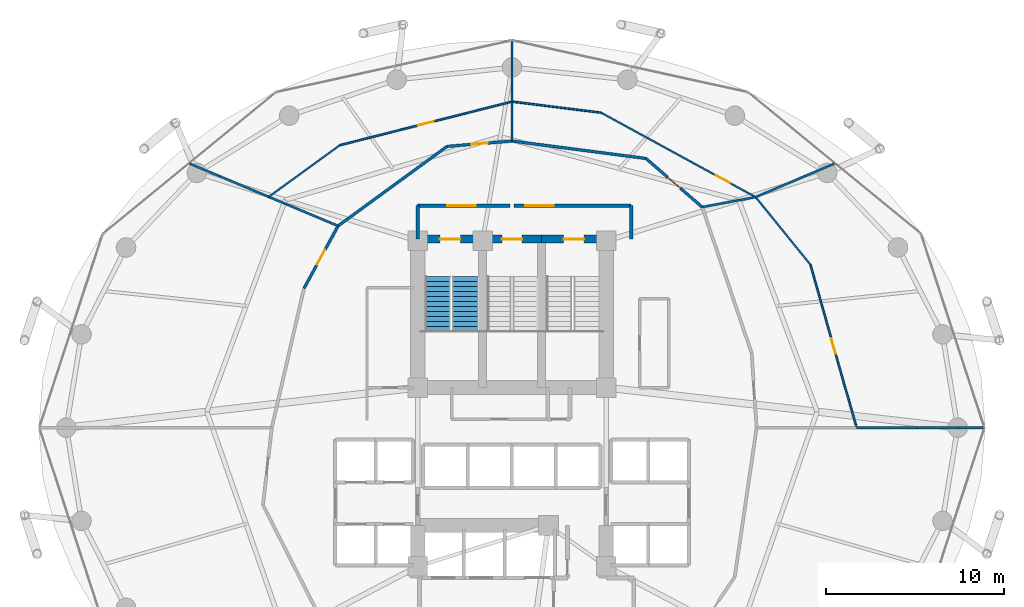
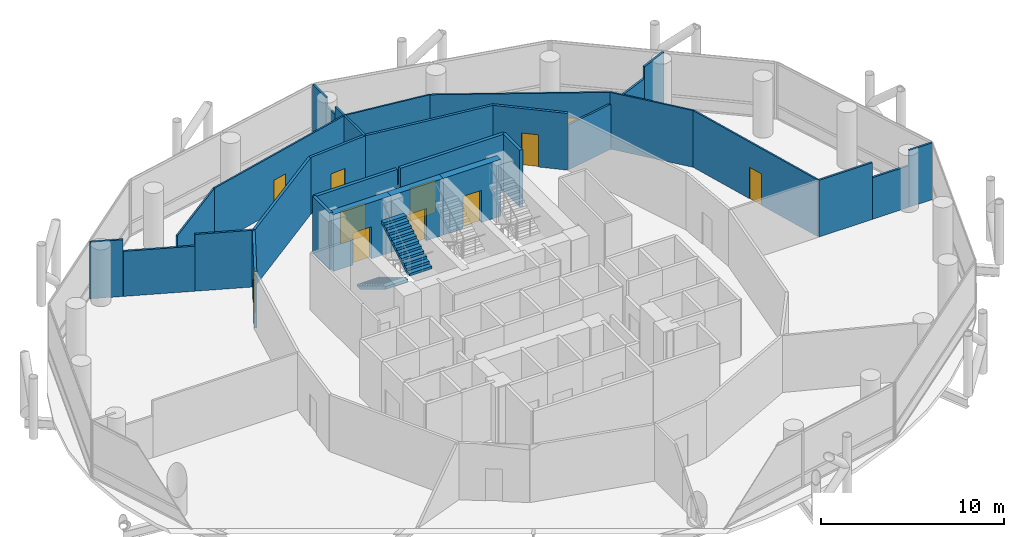
# One storey, part 23 of 25: 31 walls, 11 doors, 2 stair flights, 11 openings, 1 element without a shape of its own.
"""IFC4 building model written with IfcOpenShell, lengths in metres."""

import ifcopenshell
import ifcopenshell.guid

model = None  # the IFC model being written
_history = None  # IfcOwnerHistory: only IFC2X3 demands one
_inside = {}  # id of a spatial element -> (the spatial element, [elements in it])
_under = {}  # id of a project, library or spatial element -> (it, [spatial elements below it])
_declared = {}  # id of a project -> (the project, [libraries it declares])
_typed = {}  # id of a type object -> (the type object, [elements of that type])
_made_of = {}  # id of a material, layer set ... -> (it, [elements and type objects made of it])


def new_model(schema):
    """Start an empty IFC model of exactly this schema.

    Asked for "IFC4X3", IfcOpenShell would pick the latest addendum, in which some entities
    have other attributes; the version numbers below select the first issue.
    IFC2X3 requires an IfcOwnerHistory on every rooted entity: one is made here for all.
    """
    global model, _history
    if schema == "IFC4X3":
        model = ifcopenshell.file(schema_version=(4, 3, 0, 0))
    else:
        model = ifcopenshell.file(schema=schema)
    _inside.clear()
    _under.clear()
    _declared.clear()
    _typed.clear()
    _made_of.clear()
    _history = None
    if model.schema == "IFC2X3":
        org = make("IfcOrganization", Name="unknown")
        user = make(
            "IfcPersonAndOrganization",
            ThePerson=make("IfcPerson", FamilyName="unknown"),
            TheOrganization=org,
        )
        app = make(
            "IfcApplication",
            ApplicationDeveloper=org,
            Version="unknown",
            ApplicationFullName="unknown",
            ApplicationIdentifier="unknown",
        )
        _history = make(
            "IfcOwnerHistory",
            OwningUser=user,
            OwningApplication=app,
            ChangeAction="ADDED",
            CreationDate=0,
        )
    return model


def make(cls, **values):
    """One entity of the class cls with the attributes given. An attribute that is None is left unset."""
    return model.create_entity(
        cls, **{name: value for name, value in values.items() if value is not None}
    )


def rooted(cls, **values):
    """An entity with a GlobalId (a new one), such as an element, a storey or a relation."""
    return make(cls, GlobalId=ifcopenshell.guid.new(), OwnerHistory=_history, **values)


def si_unit(unit_type, name, prefix=None):
    """IfcSIUnit, for example si_unit("LENGTHUNIT", "METRE", prefix="MILLI")."""
    return make("IfcSIUnit", UnitType=unit_type, Prefix=prefix, Name=name)


def assignment(units):
    """IfcUnitAssignment: the units of a project."""
    return None if units is None else make("IfcUnitAssignment", Units=units)


def point(xyz):
    """IfcCartesianPoint."""
    return None if xyz is None else make("IfcCartesianPoint", Coordinates=xyz)


def direction(xyz):
    """IfcDirection."""
    return None if xyz is None else make("IfcDirection", DirectionRatios=xyz)


def frame(location, z_axis=None, x_axis=None):
    """IfcAxis2Placement3D, a coordinate frame: its origin and axes. An axis left out is left unset."""
    return make(
        "IfcAxis2Placement3D",
        Location=point(location),
        Axis=direction(z_axis),
        RefDirection=direction(x_axis),
    )


def frame_2d(location, x_axis=None):
    """IfcAxis2Placement2D, a coordinate frame in the plane: its origin and x axis."""
    return make(
        "IfcAxis2Placement2D", Location=point(location), RefDirection=direction(x_axis)
    )


def origin():
    """The frame at (0, 0, 0) with its axes left unset."""
    return frame((0.0, 0.0, 0.0))


def place(relative_to, where):
    """IfcLocalPlacement: puts the frame where relative to a parent placement (None: the world)."""
    return make(
        "IfcLocalPlacement", PlacementRelTo=relative_to, RelativePlacement=where
    )


def context(
    kind, dimensions, precision=None, world=None, true_north=None, identifier=None
):
    """IfcGeometricRepresentationContext, for example the 3D "Model" context."""
    return make(
        "IfcGeometricRepresentationContext",
        ContextIdentifier=identifier,
        ContextType=kind,
        CoordinateSpaceDimension=dimensions,
        Precision=precision,
        WorldCoordinateSystem=world,
        TrueNorth=true_north,
    )


def subcontext(parent, identifier, kind, view, scale=None):
    """IfcGeometricRepresentationSubContext, for example "Body" below "Model"."""
    return make(
        "IfcGeometricRepresentationSubContext",
        ContextIdentifier=identifier,
        ContextType=kind,
        ParentContext=parent,
        TargetScale=scale,
        TargetView=view,
    )


def project(units=None, contexts=None):
    """IfcProject with its units and contexts."""
    return rooted(
        "IfcProject",
        Name="project",
        RepresentationContexts=contexts,
        UnitsInContext=assignment(units),
    )


def spatial(cls, under=None, at=None, **own):
    """A site, building, storey or space (cls), placed at a placement, below another one or the project."""
    s = rooted(cls, ObjectPlacement=at, **own)
    if under is not None:
        _under.setdefault(under.id(), (under, []))[1].append(s)
    return s


def polyline(points):
    """IfcPolyline through the points."""
    return make("IfcPolyline", Points=[point(p) for p in points])


def profile(cls, at=None, kind="AREA", **sizes):
    """A parametric profile (cls). Its sizes go by their IFC names, for example OverallWidth=200.0."""
    return make(cls, ProfileType=kind, Position=at, **sizes)


def rectangle(**sizes):
    """IfcRectangleProfileDef."""
    return profile("IfcRectangleProfileDef", **sizes)


def outline(outer, holes=None, kind="AREA"):
    """IfcArbitraryClosedProfileDef: a profile drawn as a closed curve; with holes, ...WithVoids."""
    if holes is None:
        return make("IfcArbitraryClosedProfileDef", ProfileType=kind, OuterCurve=outer)
    return make(
        "IfcArbitraryProfileDefWithVoids",
        ProfileType=kind,
        OuterCurve=outer,
        InnerCurves=holes,
    )


def extrude(swept, where, along, depth):
    """IfcExtrudedAreaSolid: the profile swept, set in the frame where, extruded along a direction by depth."""
    return make(
        "IfcExtrudedAreaSolid",
        SweptArea=swept,
        Position=where,
        ExtrudedDirection=direction(along),
        Depth=depth,
    )


def shape(context_of_items, identifier, shape_type, items):
    """IfcShapeRepresentation: the items that make up one representation, for example the "Body"."""
    return make(
        "IfcShapeRepresentation",
        ContextOfItems=context_of_items,
        RepresentationIdentifier=identifier,
        RepresentationType=shape_type,
        Items=items,
    )


def material(Name=None, Category=None):
    """IfcMaterial."""
    return make("IfcMaterial", Name=Name, Category=Category)


def layer(
    of_material, thickness, ventilated=None, Name=None, Category=None, Priority=None
):
    """IfcMaterialLayer: one layer of a wall or slab, of a material (None: an air gap)."""
    return make(
        "IfcMaterialLayer",
        Material=of_material,
        LayerThickness=thickness,
        IsVentilated=ventilated,
        Name=Name,
        Category=Category,
        Priority=Priority,
    )


def layer_set(layers, Name=None):
    """IfcMaterialLayerSet."""
    return make("IfcMaterialLayerSet", MaterialLayers=layers, LayerSetName=Name)


def made_of(thing, what):
    """Note that an element or type object is made of a material, layer set ...; save() writes the relation."""
    if what is not None:
        _made_of.setdefault(what.id(), (what, []))[1].append(thing)
    return thing


def type_object(cls, material=None, **own):
    """A type object (cls), such as IfcWallType, which elements share."""
    return made_of(rooted(cls, **own), material)


def element(
    cls,
    number,
    at=None,
    inside=None,
    cuts=None,
    type_object=None,
    material=None,
    context=None,
    identifier="Body",
    shape_type=None,
    held_by="IfcProductDefinitionShape",
    body=None,
    shapes=None,
    **own,
):
    """One element of the class cls, such as IfcWall. Its Tag is "e" and its number.

    at: its placement. inside: the storey or other place that contains it. cuts: it is an
    opening in that element (IfcRelVoidsElement). A single representation is given by context,
    identifier, shape_type and body (its items); several are given by shapes. held_by: the class
    of the entity that holds the representations. save() writes the other relations.
    """
    e = rooted(cls, Tag="e%d" % number, ObjectPlacement=at, **own)
    if body is not None:
        shapes = [shape(context, identifier, shape_type, body)]
    if shapes is not None:
        e.Representation = make(held_by, Representations=shapes)
    if inside is not None:
        _inside.setdefault(inside.id(), (inside, []))[1].append(e)
    if cuts is not None:
        rooted(
            "IfcRelVoidsElement", RelatingBuildingElement=cuts, RelatedOpeningElement=e
        )
    if type_object is not None:
        _typed.setdefault(type_object.id(), (type_object, []))[1].append(e)
    return made_of(e, material)


def fill(opening, filler):
    """IfcRelFillsElement: the door or window that sits in an opening."""
    return rooted(
        "IfcRelFillsElement",
        RelatingOpeningElement=opening,
        RelatedBuildingElement=filler,
    )


def aggregate(whole, parts):
    """IfcRelAggregates: a whole, such as a stair, and the parts it consists of."""
    return rooted("IfcRelAggregates", RelatingObject=whole, RelatedObjects=parts)


def save(model, path):
    """Write the relations noted so far, then the file.

    IfcRelAggregates (storeys below a building ...), IfcRelContainedInSpatialStructure (elements
    in a storey), IfcRelDefinesByType, IfcRelAssociatesMaterial and IfcRelDeclares: one each for
    every whole, place, type object, material and project.
    """
    for whole, parts in _under.values():
        aggregate(whole, parts)
    for where, things in _inside.values():
        rooted(
            "IfcRelContainedInSpatialStructure",
            RelatedElements=things,
            RelatingStructure=where,
        )
    for kind, things in _typed.values():
        rooted("IfcRelDefinesByType", RelatedObjects=things, RelatingType=kind)
    for what, things in _made_of.values():
        rooted("IfcRelAssociatesMaterial", RelatedObjects=things, RelatingMaterial=what)
    for by, libraries in _declared.values():
        rooted("IfcRelDeclares", RelatingContext=by, RelatedDefinitions=libraries)
    model.write(path)


model = new_model("IFC4")

# Units and contexts
model_context = context("Model", 3, precision=1e-05, world=origin(), true_north=direction((0.0, 1.0)))
body_context = subcontext(model_context, "Body", "Model", "MODEL_VIEW")
ifc_project = project(units=[si_unit("LENGTHUNIT", "METRE"), si_unit("AREAUNIT", "SQUARE_METRE"), si_unit("VOLUMEUNIT", "CUBIC_METRE"), si_unit("PLANEANGLEUNIT", "RADIAN"), si_unit("MASSUNIT", "GRAM", prefix="KILO")], contexts=[model_context])

# Site, building, storey
site_placement = place(None, origin())
site = spatial("IfcSite", under=ifc_project, at=site_placement, CompositionType="ELEMENT")
building_placement = place(site_placement, origin())
building = spatial("IfcBuilding", under=site, at=building_placement, Name="Nuhasar Tower", CompositionType="ELEMENT")
storey_placement = place(building_placement, frame((0.0, 0.0, 49.35009765625)))
storey = spatial("IfcBuildingStorey", under=building, at=storey_placement, Name="L11", CompositionType="ELEMENT", Elevation=49.35009765625)

# Wall, opening, door
ifc_material_1 = material(Name="Concrete C50/60", Category="concrete")
ifc_layer_1 = layer(ifc_material_1, 0.449951171875)
ifc_layer_set_1 = layer_set([ifc_layer_1], Name="Concrete C50/60")
wall_type_1 = type_object("IfcWallType", Name="WL-CORE-450", PredefinedType="SHEAR", material=ifc_layer_set_1)
wall_1_placement = place(storey_placement, frame((37.35009765625, 37.39990234375, 0.0), z_axis=(0.0, 0.0, 1.0), x_axis=(-1.0, 0.0, 0.0)))
wall_1 = element("IfcWall", 1, at=wall_1_placement, inside=storey, type_object=wall_type_1, Name="L11 Stairwell Shear Wall ST01-N", PredefinedType="SHEAR", context=body_context, shape_type="SweptSolid", body=[
    extrude(rectangle(XDim=3.650146484375, YDim=0.449951171875, at=frame_2d((1.8251953125, 0.0))), origin(), (0.0, 0.0, 1.0), 3.789794921875),
])
opening_1_placement = place(wall_1_placement, frame((1.25, 0.0, 0.0)))
opening_1 = element("IfcOpeningElement", 2, at=opening_1_placement, cuts=wall_1, Name="Opening DS-01", PredefinedType="OPENING", context=body_context, shape_type="SweptSolid", body=[
    extrude(rectangle(XDim=1.14990234375, YDim=2.14990234375, at=frame_2d((0.574951171875, 1.074951171875))), frame((0.0, 0.23486328125, 0.0), z_axis=(0.0, -1.0, 0.0), x_axis=(1.0, 0.0, 0.0)), (0.0, 0.0, 1.0), 0.469970703125),
])
ifc_material_2 = material(Name="Steel S355", Category="steel")
door_type_1 = type_object("IfcDoorType", Name="DR-STAIR-FD120-1150", OperationType="NOTDEFINED", PredefinedType="DOOR", material=ifc_material_2)
door_1_placement = place(opening_1_placement, origin())
door_1 = element("IfcDoor", 3, at=door_1_placement, inside=storey, type_object=door_type_1, Name="L11 Exit Stair ST-01 Door", OperationType="SINGLE_SWING_RIGHT", OverallHeight=2.14990234375, OverallWidth=1.14990234375, PredefinedType="DOOR", context=body_context, shape_type="SweptSolid", body=[
    extrude(rectangle(XDim=1.14990234375, YDim=2.14990234375, at=frame_2d((0.574951171875, 1.074951171875))), frame((0.0, 0.02490234375, 0.0), z_axis=(0.0, -1.0, 0.0), x_axis=(1.0, 0.0, 0.0)), (0.0, 0.0, 1.0), 0.050048828125),
])
fill(opening_1, door_1)

wall_2_placement = place(storey_placement, frame((40.64990234375, 37.39990234375, 0.0), z_axis=(0.0, 0.0, 1.0), x_axis=(-1.0, 0.0, 0.0)))
wall_2 = element("IfcWall", 4, at=wall_2_placement, inside=storey, type_object=wall_type_1, Name="L11 Stairwell Shear Wall ST03-N", PredefinedType="SHEAR", context=body_context, shape_type="SweptSolid", body=[
    extrude(rectangle(XDim=3.2998046875, YDim=0.449951171875, at=frame_2d((1.64990234375, 0.0))), origin(), (0.0, 0.0, 1.0), 3.789794921875),
])
opening_2_placement = place(wall_2_placement, frame((1.074951171875, 0.0, 0.0)))
opening_2 = element("IfcOpeningElement", 5, at=opening_2_placement, cuts=wall_2, Name="Opening DS-01", PredefinedType="OPENING", context=body_context, shape_type="SweptSolid", body=[
    extrude(rectangle(XDim=1.14990234375, YDim=2.14990234375, at=frame_2d((0.574951171875, 1.074951171875))), frame((0.0, 0.23486328125, 0.0), z_axis=(0.0, -1.0, 0.0), x_axis=(1.0, 0.0, 0.0)), (0.0, 0.0, 1.0), 0.469970703125),
])
door_2_placement = place(opening_2_placement, origin())
door_2 = element("IfcDoor", 6, at=door_2_placement, inside=storey, type_object=door_type_1, Name="L11 Exit Stair ST-03 Door", OperationType="SINGLE_SWING_RIGHT", OverallHeight=2.14990234375, OverallWidth=1.14990234375, PredefinedType="DOOR", context=body_context, shape_type="SweptSolid", body=[
    extrude(rectangle(XDim=1.14990234375, YDim=2.14990234375, at=frame_2d((0.574951171875, 1.074951171875))), frame((0.0, 0.02490234375, 0.0), z_axis=(0.0, -1.0, 0.0), x_axis=(1.0, 0.0, 0.0)), (0.0, 0.0, 1.0), 0.050048828125),
])
fill(opening_2, door_2)

wall_3_placement = place(storey_placement, frame((44.300048828125, 37.39990234375, 0.0), z_axis=(0.0, 0.0, 1.0), x_axis=(-1.0, 0.0, 0.0)))
wall_3 = element("IfcWall", 7, at=wall_3_placement, inside=storey, type_object=wall_type_1, Name="L11 Stairwell Shear Wall ST02-N", PredefinedType="SHEAR", context=body_context, shape_type="SweptSolid", body=[
    extrude(rectangle(XDim=3.650146484375, YDim=0.449951171875, at=frame_2d((1.8251953125, 0.0))), origin(), (0.0, 0.0, 1.0), 3.789794921875),
])
opening_3_placement = place(wall_3_placement, frame((1.25, 0.0, 0.0)))
opening_3 = element("IfcOpeningElement", 8, at=opening_3_placement, cuts=wall_3, Name="Opening DS-01", PredefinedType="OPENING", context=body_context, shape_type="SweptSolid", body=[
    extrude(rectangle(XDim=1.14990234375, YDim=2.14990234375, at=frame_2d((0.574951171875, 1.074951171875))), frame((0.0, 0.23486328125, 0.0), z_axis=(0.0, -1.0, 0.0), x_axis=(1.0, 0.0, 0.0)), (0.0, 0.0, 1.0), 0.469970703125),
])
door_3_placement = place(opening_3_placement, origin())
door_3 = element("IfcDoor", 9, at=door_3_placement, inside=storey, type_object=door_type_1, Name="L11 Exit Stair ST-02 Door", OperationType="SINGLE_SWING_LEFT", OverallHeight=2.14990234375, OverallWidth=1.14990234375, PredefinedType="DOOR", context=body_context, shape_type="SweptSolid", body=[
    extrude(rectangle(XDim=1.14990234375, YDim=2.14990234375, at=frame_2d((0.574951171875, 1.074951171875))), frame((0.0, 0.02490234375, 0.0), z_axis=(0.0, -1.0, 0.0), x_axis=(1.0, 0.0, 0.0)), (0.0, 0.0, 1.0), 0.050048828125),
])
fill(opening_3, door_3)

ifc_material_3 = material(Name="Gypsum Board", Category="gypsum")
ifc_layer_2 = layer(ifc_material_3, 0.159912109375)
ifc_layer_set_2 = layer_set([ifc_layer_2], Name="Gypsum Board")
wall_type_2 = type_object("IfcWallType", Name="WL-CORR-160", PredefinedType="PARTITIONING", material=ifc_layer_set_2)
wall_4_placement = place(storey_placement, frame((46.530029296875, 41.928955078125, 0.0), z_axis=(0.0, 0.0, 1.0), x_axis=(0.756492941082, -0.654001857867, 0.0)))
wall_4 = element("IfcWall", 10, at=wall_4_placement, inside=storey, type_object=wall_type_2, Name="L11 Interior Partition CORR-06", PredefinedType="PARTITIONING", context=body_context, shape_type="SweptSolid", body=[
    extrude(rectangle(XDim=4.17578125, YDim=0.159912109375, at=frame_2d((2.087890625, 0.0))), origin(), (0.0, 0.0, 1.0), 3.789794921875),
])
opening_4_placement = place(wall_4_placement, frame((1.613037109375, 0.0, 0.0)))
opening_4 = element("IfcOpeningElement", 11, at=opening_4_placement, cuts=wall_4, Name="Opening DO-01", PredefinedType="OPENING", context=body_context, shape_type="SweptSolid", body=[
    extrude(rectangle(XDim=0.949951171875, YDim=2.14990234375, at=frame_2d((0.47509765625, 1.074951171875))), frame((0.0, 0.08984375, 0.0), z_axis=(0.0, -1.0, 0.0), x_axis=(1.0, 0.0, 0.0)), (0.0, 0.0, 1.0), 0.179931640625),
])
ifc_material_4 = material(Name="Timber Oak", Category="wood")
door_type_2 = type_object("IfcDoorType", Name="DR-OFFICE-FD30-950", OperationType="NOTDEFINED", PredefinedType="DOOR", material=ifc_material_4)
door_4_placement = place(opening_4_placement, origin())
door_4 = element("IfcDoor", 12, at=door_4_placement, inside=storey, type_object=door_type_2, Name="L11 Legal Chambers B Entry Door", OperationType="SINGLE_SWING_LEFT", OverallHeight=2.14990234375, OverallWidth=0.949951171875, PredefinedType="DOOR", context=body_context, shape_type="SweptSolid", body=[
    extrude(rectangle(XDim=0.949951171875, YDim=2.14990234375, at=frame_2d((0.47509765625, 1.074951171875))), frame((0.0, 0.02490234375, 0.0), z_axis=(0.0, -1.0, 0.0), x_axis=(1.0, 0.0, 0.0)), (0.0, 0.0, 1.0), 0.050048828125),
])
fill(opening_4, door_4)

# Wall
wall_5_placement = place(storey_placement, frame((46.530029296875, 41.928955078125, 0.0), z_axis=(0.0, 0.0, 1.0), x_axis=(-0.99162101561, 0.129181118592, 0.0)))
element("IfcWall", 13, at=wall_5_placement, inside=storey, type_object=wall_type_2, Name="L11 Interior Partition CORR-08", PredefinedType="PARTITIONING", context=body_context, shape_type="SweptSolid", body=[
    extrude(rectangle(XDim=7.59375, YDim=0.159912109375, at=frame_2d((3.796875, 0.0))), origin(), (0.0, 0.0, 1.0), 3.789794921875),
])

# Wall, opening, door
wall_6_placement = place(storey_placement, frame((35.347900390625, 42.60791015625, 0.0), z_axis=(0.0, 0.0, 1.0), x_axis=(0.996598394666, 0.082411405455, 0.0)))
wall_6 = element("IfcWall", 14, at=wall_6_placement, inside=storey, type_object=wall_type_2, Name="L11 Interior Partition CORR-12", PredefinedType="PARTITIONING", context=body_context, shape_type="SweptSolid", body=[
    extrude(rectangle(XDim=3.66455078125, YDim=0.159912109375, at=frame_2d((1.832275390625, 0.0))), origin(), (0.0, 0.0, 1.0), 3.789794921875),
])
opening_5_placement = place(wall_6_placement, frame((1.35693359375, 0.0, 0.0)))
opening_5 = element("IfcOpeningElement", 15, at=opening_5_placement, cuts=wall_6, Name="Opening DO-01", PredefinedType="OPENING", context=body_context, shape_type="SweptSolid", body=[
    extrude(rectangle(XDim=0.949951171875, YDim=2.14990234375, at=frame_2d((0.47509765625, 1.074951171875))), frame((0.0, 0.08984375, 0.0), z_axis=(0.0, -1.0, 0.0), x_axis=(1.0, 0.0, 0.0)), (0.0, 0.0, 1.0), 0.179931640625),
])
door_5_placement = place(opening_5_placement, origin())
door_5 = element("IfcDoor", 16, at=door_5_placement, inside=storey, type_object=door_type_2, Name="L11 Arbitration Hearing Room Entry Door", OperationType="SINGLE_SWING_LEFT", OverallHeight=2.14990234375, OverallWidth=0.949951171875, PredefinedType="DOOR", context=body_context, shape_type="SweptSolid", body=[
    extrude(rectangle(XDim=0.949951171875, YDim=2.14990234375, at=frame_2d((0.47509765625, 1.074951171875))), frame((0.0, 0.02490234375, 0.0), z_axis=(0.0, -1.0, 0.0), x_axis=(1.0, 0.0, 0.0)), (0.0, 0.0, 1.0), 0.050048828125),
])
fill(opening_5, door_5)

# Wall
wall_7_placement = place(storey_placement, frame((35.347900390625, 42.60791015625, 0.0), z_axis=(0.0, 0.0, 1.0), x_axis=(-0.807666592587, -0.589639445101, 0.0)))
element("IfcWall", 17, at=wall_7_placement, inside=storey, type_object=wall_type_2, Name="L11 Interior Partition CORR-14", PredefinedType="PARTITIONING", context=body_context, shape_type="SweptSolid", body=[
    extrude(rectangle(XDim=7.580810546875, YDim=0.159912109375, at=frame_2d((3.79052734375, 0.0))), origin(), (0.0, 0.0, 1.0), 3.789794921875),
])

# Wall, opening, door
wall_8_placement = place(storey_placement, frame((27.30908203125, 34.6298828125, 0.0), z_axis=(0.0, 0.0, 1.0), x_axis=(0.479339902436, 0.877629339717, 0.0)))
wall_8 = element("IfcWall", 18, at=wall_8_placement, inside=storey, type_object=wall_type_2, Name="L11 Interior Partition CORR-18", PredefinedType="PARTITIONING", context=body_context, shape_type="SweptSolid", body=[
    extrude(rectangle(XDim=3.997314453125, YDim=0.159912109375, at=frame_2d((1.99853515625, 0.0))), origin(), (0.0, 0.0, 1.0), 3.789794921875),
])
opening_6_placement = place(wall_8_placement, frame((1.52392578125, 0.0, 0.0)))
opening_6 = element("IfcOpeningElement", 19, at=opening_6_placement, cuts=wall_8, Name="Opening DO-01", PredefinedType="OPENING", context=body_context, shape_type="SweptSolid", body=[
    extrude(rectangle(XDim=0.949951171875, YDim=2.14990234375, at=frame_2d((0.47509765625, 1.074951171875))), frame((0.0, 0.08984375, 0.0), z_axis=(0.0, -1.0, 0.0), x_axis=(1.0, 0.0, 0.0)), (0.0, 0.0, 1.0), 0.179931640625),
])
door_6_placement = place(opening_6_placement, origin())
door_6 = element("IfcDoor", 20, at=door_6_placement, inside=storey, type_object=door_type_2, Name="L11 Chambers Tea Pantry Entry Door", OperationType="SINGLE_SWING_LEFT", OverallHeight=2.14990234375, OverallWidth=0.949951171875, PredefinedType="DOOR", context=body_context, shape_type="SweptSolid", body=[
    extrude(rectangle(XDim=0.949951171875, YDim=2.14990234375, at=frame_2d((0.47509765625, 1.074951171875))), frame((0.0, 0.02490234375, 0.0), z_axis=(0.0, -1.0, 0.0), x_axis=(1.0, 0.0, 0.0)), (0.0, 0.0, 1.0), 0.050048828125),
])
fill(opening_6, door_6)

# Walls
ifc_material_5 = material(Name="Concrete C45/55", Category="concrete")
ifc_layer_3 = layer(ifc_material_5, 0.199951171875)
ifc_layer_set_3 = layer_set([ifc_layer_3], Name="Concrete C45/55")
wall_type_3 = type_object("IfcWallType", Name="WL-LOBBY-200", PredefinedType="SOLIDWALL", material=ifc_layer_set_3)
for number, where, z_axis, x_axis, name in (
    (21, (33.699951171875, 37.39990234375, 0.0), (0.0, 0.0, 1.0), (0.0, 1.0, 0.0), "L11 Interior Partition NSL-W"),
    (22, (45.699951171875, 37.39990234375, 0.0), (0.0, 0.0, 1.0), (0.0, 1.0, 0.0), "L11 Interior Partition NSL-E"),
):
    element("IfcWall", number, at=place(storey_placement, frame(where, z_axis=z_axis, x_axis=x_axis)), inside=storey, type_object=wall_type_3, Name=name, PredefinedType="SOLIDWALL", context=body_context, shape_type="SweptSolid", body=[
        extrude(rectangle(XDim=1.880126953125, YDim=0.199951171875, at=frame_2d((0.93994140625, 0.0))), origin(), (0.0, 0.0, 1.0), 3.789794921875),
    ])

# Wall, opening, door
wall_9_placement = place(storey_placement, frame((38.89990234375, 39.280029296875, 0.0), z_axis=(0.0, 0.0, 1.0), x_axis=(-1.0, 0.0, 0.0)))
wall_9 = element("IfcWall", 23, at=wall_9_placement, inside=storey, type_object=wall_type_3, Name="L11 Interior Partition NSL-N1", PredefinedType="SOLIDWALL", context=body_context, shape_type="SweptSolid", body=[
    extrude(rectangle(XDim=5.199951171875, YDim=0.199951171875, at=frame_2d((2.60009765625, 0.0))), origin(), (0.0, 0.0, 1.0), 3.789794921875),
])
opening_7_placement = place(wall_9_placement, frame((1.949951171875, 0.0, 0.0)))
opening_7 = element("IfcOpeningElement", 24, at=opening_7_placement, cuts=wall_9, Name="Opening DC-01", PredefinedType="OPENING", context=body_context, shape_type="SweptSolid", body=[
    extrude(rectangle(XDim=1.60009765625, YDim=2.199951171875, at=frame_2d((0.800048828125, 1.10009765625))), frame((0.0, 0.10986328125, 0.0), z_axis=(0.0, -1.0, 0.0), x_axis=(1.0, 0.0, 0.0)), (0.0, 0.0, 1.0), 0.219970703125),
])
door_type_3 = type_object("IfcDoorType", Name="DR-CORR-FD60-1600", OperationType="DOUBLE_DOOR_SINGLE_SWING", PredefinedType="DOOR", material=ifc_material_2)
door_7_placement = place(opening_7_placement, origin())
door_7 = element("IfcDoor", 25, at=door_7_placement, inside=storey, type_object=door_type_3, Name="L11 North Stair Lobby West Door", OperationType="DOUBLE_DOOR_SINGLE_SWING", OverallHeight=2.199951171875, OverallWidth=1.60009765625, PredefinedType="DOOR", context=body_context, shape_type="SweptSolid", body=[
    extrude(rectangle(XDim=1.60009765625, YDim=2.199951171875, at=frame_2d((0.800048828125, 1.10009765625))), frame((0.0, 0.02490234375, 0.0), z_axis=(0.0, -1.0, 0.0), x_axis=(1.0, 0.0, 0.0)), (0.0, 0.0, 1.0), 0.050048828125),
])
fill(opening_7, door_7)

wall_10_placement = place(storey_placement, frame((45.699951171875, 39.280029296875, 0.0), z_axis=(0.0, 0.0, 1.0), x_axis=(-1.0, 0.0, 0.0)))
wall_10 = element("IfcWall", 26, at=wall_10_placement, inside=storey, type_object=wall_type_3, Name="L11 Interior Partition NSL-N2", PredefinedType="SOLIDWALL", context=body_context, shape_type="SweptSolid", body=[
    extrude(rectangle(XDim=6.599853515625, YDim=0.199951171875, at=frame_2d((3.2998046875, 0.0))), origin(), (0.0, 0.0, 1.0), 3.789794921875),
])
opening_8_placement = place(wall_10_placement, frame((4.35009765625, 0.0, 0.0)))
opening_8 = element("IfcOpeningElement", 27, at=opening_8_placement, cuts=wall_10, Name="Opening DC-01", PredefinedType="OPENING", context=body_context, shape_type="SweptSolid", body=[
    extrude(rectangle(XDim=1.60009765625, YDim=2.199951171875, at=frame_2d((0.800048828125, 1.10009765625))), frame((0.0, 0.10986328125, 0.0), z_axis=(0.0, -1.0, 0.0), x_axis=(1.0, 0.0, 0.0)), (0.0, 0.0, 1.0), 0.219970703125),
])
door_8_placement = place(opening_8_placement, origin())
door_8 = element("IfcDoor", 28, at=door_8_placement, inside=storey, type_object=door_type_3, Name="L11 North Stair Lobby East Door", OperationType="DOUBLE_DOOR_SINGLE_SWING", OverallHeight=2.199951171875, OverallWidth=1.60009765625, PredefinedType="DOOR", context=body_context, shape_type="SweptSolid", body=[
    extrude(rectangle(XDim=1.60009765625, YDim=2.199951171875, at=frame_2d((0.800048828125, 1.10009765625))), frame((0.0, 0.02490234375, 0.0), z_axis=(0.0, -1.0, 0.0), x_axis=(1.0, 0.0, 0.0)), (0.0, 0.0, 1.0), 0.050048828125),
])
fill(opening_8, door_8)

ifc_material_6 = material(Name="Aluminium 6063-T6", Category="aluminium")
ifc_layer_4 = layer(ifc_material_6, 0.10009765625)
ifc_layer_set_4 = layer_set([ifc_layer_4], Name="Aluminium 6063-T6")
wall_type_4 = type_object("IfcWallType", Name="WL-MOVABLE-100", PredefinedType="MOVABLE", material=ifc_layer_set_4)
wall_11_placement = place(storey_placement, frame((55.77197265625, 35.9619140625, 0.0), z_axis=(0.0, 0.0, 1.0), x_axis=(0.272515943622, -0.962151266939, 0.0)))
wall_11 = element("IfcWall", 29, at=wall_11_placement, inside=storey, type_object=wall_type_4, Name="L11 Interior Partition OMID-01-00", PredefinedType="MOVABLE", context=body_context, shape_type="SweptSolid", body=[
    extrude(rectangle(XDim=9.522216796875, YDim=0.10009765625, at=frame_2d((4.76123046875, 0.0))), origin(), (0.0, 0.0, 1.0), 3.789794921875),
])
opening_9_placement = place(wall_11_placement, frame((4.31103515625, 0.0, 0.0)))
opening_9 = element("IfcOpeningElement", 30, at=opening_9_placement, cuts=wall_11, Name="Opening DR-01", PredefinedType="OPENING", context=body_context, shape_type="SweptSolid", body=[
    extrude(rectangle(XDim=0.89990234375, YDim=2.10009765625, at=frame_2d((0.449951171875, 1.050048828125))), frame((0.0, 0.06005859375, 0.0), z_axis=(0.0, -1.0, 0.0), x_axis=(1.0, 0.0, 0.0)), (0.0, 0.0, 1.0), 0.1201171875),
])
door_type_4 = type_object("IfcDoorType", Name="DR-ROOM-900", OperationType="NOTDEFINED", PredefinedType="DOOR", material=ifc_material_4)
door_9_placement = place(opening_9_placement, origin())
door_9 = element("IfcDoor", 31, at=door_9_placement, inside=storey, type_object=door_type_4, Name="L11 Legal Chambers A Inner Door", OperationType="SINGLE_SWING_LEFT", OverallHeight=2.10009765625, OverallWidth=0.89990234375, PredefinedType="DOOR", context=body_context, shape_type="SweptSolid", body=[
    extrude(rectangle(XDim=0.89990234375, YDim=2.10009765625, at=frame_2d((0.449951171875, 1.050048828125))), frame((0.0, 0.02490234375, 0.0), z_axis=(0.0, -1.0, 0.0), x_axis=(1.0, 0.0, 0.0)), (0.0, 0.0, 1.0), 0.050048828125),
])
fill(opening_9, door_9)

# Wall
wall_12_placement = place(storey_placement, frame((55.77197265625, 35.9619140625, 0.0), z_axis=(0.0, 0.0, 1.0), x_axis=(-0.629672409309, 0.776860770637, 0.0)))
element("IfcWall", 32, at=wall_12_placement, inside=storey, type_object=wall_type_4, Name="L11 Interior Partition OMID-01-04", PredefinedType="MOVABLE", context=body_context, shape_type="SweptSolid", body=[
    extrude(rectangle(XDim=4.886474609375, YDim=0.10009765625, at=frame_2d((2.443359375, 0.0))), origin(), (0.0, 0.0, 1.0), 3.789794921875),
])

# Wall, opening, door
wall_13_placement = place(storey_placement, frame((44.012939453125, 44.5009765625, 0.0), z_axis=(0.0, 0.0, 1.0), x_axis=(0.877588886427, -0.479413961437, 0.0)))
wall_13 = element("IfcWall", 33, at=wall_13_placement, inside=storey, type_object=wall_type_4, Name="L11 Interior Partition OMID-02-06", PredefinedType="MOVABLE", context=body_context, shape_type="SweptSolid", body=[
    extrude(rectangle(XDim=9.89306640625, YDim=0.10009765625, at=frame_2d((4.946533203125, 0.0))), origin(), (0.0, 0.0, 1.0), 3.789794921875),
])
opening_10_placement = place(wall_13_placement, frame((7.3359375, 0.0, 0.0)))
opening_10 = element("IfcOpeningElement", 34, at=opening_10_placement, cuts=wall_13, Name="Opening DR-01", PredefinedType="OPENING", context=body_context, shape_type="SweptSolid", body=[
    extrude(rectangle(XDim=0.89990234375, YDim=2.10009765625, at=frame_2d((0.449951171875, 1.050048828125))), frame((0.0, 0.06005859375, 0.0), z_axis=(0.0, -1.0, 0.0), x_axis=(1.0, 0.0, 0.0)), (0.0, 0.0, 1.0), 0.1201171875),
])
door_10_placement = place(opening_10_placement, origin())
door_10 = element("IfcDoor", 35, at=door_10_placement, inside=storey, type_object=door_type_4, Name="L11 Legal Chambers B Inner Door", OperationType="SINGLE_SWING_RIGHT", OverallHeight=2.10009765625, OverallWidth=0.89990234375, PredefinedType="DOOR", context=body_context, shape_type="SweptSolid", body=[
    extrude(rectangle(XDim=0.89990234375, YDim=2.10009765625, at=frame_2d((0.449951171875, 1.050048828125))), frame((0.0, 0.02490234375, 0.0), z_axis=(0.0, -1.0, 0.0), x_axis=(1.0, 0.0, 0.0)), (0.0, 0.0, 1.0), 0.050048828125),
])
fill(opening_10, door_10)

# Wall
wall_14_placement = place(storey_placement, frame((44.012939453125, 44.5009765625, 0.0), z_axis=(0.0, 0.0, 1.0), x_axis=(-0.992340947468, 0.123529121985, 0.0)))
element("IfcWall", 36, at=wall_14_placement, inside=storey, type_object=wall_type_4, Name="L11 Interior Partition OMID-02-10", PredefinedType="MOVABLE", context=body_context, shape_type="SweptSolid", body=[
    extrude(rectangle(XDim=5.051513671875, YDim=0.10009765625, at=frame_2d((2.52587890625, 0.0))), origin(), (0.0, 0.0, 1.0), 3.789794921875),
])

# Wall, opening, door
wall_15_placement = place(storey_placement, frame((29.31689453125, 42.669921875, 0.0), z_axis=(0.0, 0.0, 1.0), x_axis=(0.969329167934, 0.245766076162, 0.0)))
wall_15 = element("IfcWall", 37, at=wall_15_placement, inside=storey, type_object=wall_type_4, Name="L11 Interior Partition OMID-03-12", PredefinedType="MOVABLE", context=body_context, shape_type="SweptSolid", body=[
    extrude(rectangle(XDim=9.989501953125, YDim=0.10009765625, at=frame_2d((4.99462890625, 0.0))), origin(), (0.0, 0.0, 1.0), 3.789794921875),
])
opening_11_placement = place(wall_15_placement, frame((4.544921875, 0.0, 0.0)))
opening_11 = element("IfcOpeningElement", 38, at=opening_11_placement, cuts=wall_15, Name="Opening DR-01", PredefinedType="OPENING", context=body_context, shape_type="SweptSolid", body=[
    extrude(rectangle(XDim=0.89990234375, YDim=2.10009765625, at=frame_2d((0.449951171875, 1.050048828125))), frame((0.0, 0.06005859375, 0.0), z_axis=(0.0, -1.0, 0.0), x_axis=(1.0, 0.0, 0.0)), (0.0, 0.0, 1.0), 0.1201171875),
])
door_11_placement = place(opening_11_placement, origin())
door_11 = element("IfcDoor", 39, at=door_11_placement, inside=storey, type_object=door_type_4, Name="L11 Arbitration Hearing Room Inner Door", OperationType="SINGLE_SWING_LEFT", OverallHeight=2.10009765625, OverallWidth=0.89990234375, PredefinedType="DOOR", context=body_context, shape_type="SweptSolid", body=[
    extrude(rectangle(XDim=0.89990234375, YDim=2.10009765625, at=frame_2d((0.449951171875, 1.050048828125))), frame((0.0, 0.02490234375, 0.0), z_axis=(0.0, -1.0, 0.0), x_axis=(1.0, 0.0, 0.0)), (0.0, 0.0, 1.0), 0.050048828125),
])
fill(opening_11, door_11)

# Walls
wall_16_placement = place(storey_placement, frame((29.31689453125, 42.669921875, 0.0), z_axis=(0.0, 0.0, 1.0), x_axis=(-0.809304329507, -0.587389565997, 0.0)))
element("IfcWall", 40, at=wall_16_placement, inside=storey, type_object=wall_type_4, Name="L11 Interior Partition OMID-03-16", PredefinedType="MOVABLE", context=body_context, shape_type="SweptSolid", body=[
    extrude(rectangle(XDim=4.957275390625, YDim=0.10009765625, at=frame_2d((2.478515625, 0.0))), origin(), (0.0, 0.0, 1.0), 3.789794921875),
])
ifc_layer_5 = layer(ifc_material_3, 0.125)
ifc_layer_set_5 = layer_set([ifc_layer_5], Name="Gypsum Board")
wall_type_5 = type_object("IfcWallType", Name="WL-PART-125", PredefinedType="PARTITIONING", material=ifc_layer_set_5)
wall_17_placement = place(storey_placement, frame((58.366943359375, 26.800048828125, 0.0), z_axis=(0.0, 0.0, 1.0), x_axis=(1.0, 0.0, 0.0)))
element("IfcWall", 41, at=wall_17_placement, inside=storey, type_object=wall_type_5, Name="L11 Interior Partition ORAD-00-S2", PredefinedType="PARTITIONING", context=body_context, shape_type="SweptSolid", body=[
    extrude(rectangle(XDim=3.363037109375, YDim=0.125, at=frame_2d((1.681640625, 0.0))), origin(), (0.0, 0.0, 1.0), 3.789794921875),
])
wall_18_placement = place(storey_placement, frame((61.72998046875, 26.800048828125, 0.0), z_axis=(0.0, 0.0, 1.0), x_axis=(1.0, 0.0, 0.0)))
element("IfcWall", 42, at=wall_18_placement, inside=storey, type_object=wall_type_5, Name="L11 Interior Partition ORAD-00-S2", PredefinedType="PARTITIONING", context=body_context, shape_type="SweptSolid", body=[
    extrude(rectangle(XDim=2.326904296875, YDim=0.125, at=frame_2d((1.16357421875, 0.0))), origin(), (0.0, 0.0, 1.0), 2.77978515625),
])
wall_19_placement = place(storey_placement, frame((64.056884765625, 26.800048828125, 0.0), z_axis=(0.0, 0.0, 1.0), x_axis=(1.0, 0.0, 0.0)))
element("IfcWall", 43, at=wall_19_placement, inside=storey, type_object=wall_type_5, Name="L11 Interior Partition ORAD-00-S2", PredefinedType="PARTITIONING", context=body_context, shape_type="SweptSolid", body=[
    extrude(rectangle(XDim=1.468017578125, YDim=0.125, at=frame_2d((0.73388671875, 0.0))), origin(), (0.0, 0.0, 1.0), 3.789794921875),
])
wall_20_placement = place(storey_placement, frame((49.68896484375, 39.197998046875, 0.0), z_axis=(0.0, 0.0, 1.0), x_axis=(0.983083941647, 0.183155572333, 0.0)))
element("IfcWall", 44, at=wall_20_placement, inside=storey, type_object=wall_type_5, Name="L11 Interior Partition ORAD-06-S1", PredefinedType="PARTITIONING", context=body_context, shape_type="SweptSolid", body=[
    extrude(rectangle(XDim=3.057861328125, YDim=0.125, at=frame_2d((1.52880859375, 0.0))), origin(), (0.0, 0.0, 1.0), 3.010009765625),
])
wall_21_placement = place(storey_placement, frame((52.695068359375, 39.758056640625, 0.0), z_axis=(0.0, 0.0, 1.0), x_axis=(0.92022473881, 0.391390380671, 0.0)))
element("IfcWall", 45, at=wall_21_placement, inside=storey, type_object=wall_type_5, Name="L11 Interior Partition ORAD-06-S2", PredefinedType="PARTITIONING", context=body_context, shape_type="SweptSolid", body=[
    extrude(rectangle(XDim=3.042724609375, YDim=0.125, at=frame_2d((1.521484375, 0.0))), origin(), (0.0, 0.0, 1.0), 3.010009765625),
])
wall_22_placement = place(storey_placement, frame((55.4951171875, 40.948974609375, 0.0), z_axis=(0.0, 0.0, 1.0), x_axis=(0.920394497478, 0.390991008864, 0.0)))
element("IfcWall", 46, at=wall_22_placement, inside=storey, type_object=wall_type_5, Name="L11 Interior Partition ORAD-06-S2", PredefinedType="PARTITIONING", context=body_context, shape_type="SweptSolid", body=[
    extrude(rectangle(XDim=1.76220703125, YDim=0.125, at=frame_2d((0.881103515625, 0.0))), origin(), (0.0, 0.0, 1.0), 3.789794921875),
])
wall_23_placement = place(storey_placement, frame((39.0, 42.909912109375, 0.0), z_axis=(0.0, 0.0, 1.0), x_axis=(0.0, 1.0, 0.0)))
element("IfcWall", 47, at=wall_23_placement, inside=storey, type_object=wall_type_5, Name="L11 Interior Partition ORAD-12-S1", PredefinedType="PARTITIONING", context=body_context, shape_type="SweptSolid", body=[
    extrude(rectangle(XDim=2.215087890625, YDim=0.125, at=frame_2d((1.107421875, 0.0))), origin(), (0.0, 0.0, 1.0), 3.789794921875),
])
wall_24_placement = place(storey_placement, frame((39.0, 45.125, 0.0), z_axis=(0.0, 0.0, 1.0), x_axis=(0.0, 1.0, 0.0)))
element("IfcWall", 48, at=wall_24_placement, inside=storey, type_object=wall_type_5, Name="L11 Interior Partition ORAD-12-S2", PredefinedType="PARTITIONING", context=body_context, shape_type="SweptSolid", body=[
    extrude(rectangle(XDim=0.928955078125, YDim=0.125, at=frame_2d((0.46435546875, 0.0))), origin(), (0.0, 0.0, 1.0), 3.789794921875),
])
wall_25_placement = place(storey_placement, frame((39.0, 46.053955078125, 0.0), z_axis=(0.0, 0.0, 1.0), x_axis=(0.0, 1.0, 0.0)))
element("IfcWall", 49, at=wall_25_placement, inside=storey, type_object=wall_type_5, Name="L11 Interior Partition ORAD-12-S2", PredefinedType="PARTITIONING", context=body_context, shape_type="SweptSolid", body=[
    extrude(rectangle(XDim=1.007080078125, YDim=0.125, at=frame_2d((0.50341796875, 0.0))), origin(), (0.0, 0.0, 1.0), 3.2548828125),
])
wall_26_placement = place(storey_placement, frame((39.0, 47.06103515625, 0.0), z_axis=(0.0, 0.0, 1.0), x_axis=(0.0, 1.0, 0.0)))
element("IfcWall", 50, at=wall_26_placement, inside=storey, type_object=wall_type_5, Name="L11 Interior Partition ORAD-12-S2", PredefinedType="PARTITIONING", context=body_context, shape_type="SweptSolid", body=[
    extrude(rectangle(XDim=1.4638671875, YDim=0.125, at=frame_2d((0.73193359375, 0.0))), origin(), (0.0, 0.0, 1.0), 3.789794921875),
])
wall_27_placement = place(storey_placement, frame((29.22509765625, 38.137939453125, 0.0), z_axis=(0.0, 0.0, 1.0), x_axis=(-0.92216319385, 0.386801039177, 0.0)))
element("IfcWall", 51, at=wall_27_placement, inside=storey, type_object=wall_type_5, Name="L11 Interior Partition ORAD-18", PredefinedType="PARTITIONING", context=body_context, shape_type="SweptSolid", body=[
    extrude(rectangle(XDim=3.242431640625, YDim=0.125, at=frame_2d((1.62109375, 0.0))), origin(), (0.0, 0.0, 1.0), 3.789794921875),
])
wall_28_placement = place(storey_placement, frame((26.235107421875, 39.39208984375, 0.0), z_axis=(0.0, 0.0, 1.0), x_axis=(-0.922079399294, 0.387000751159, 0.0)))
element("IfcWall", 52, at=wall_28_placement, inside=storey, type_object=wall_type_5, Name="L11 Interior Partition ORAD-18", PredefinedType="PARTITIONING", context=body_context, shape_type="SweptSolid", body=[
    extrude(rectangle(XDim=3.95849609375, YDim=0.125, at=frame_2d((1.979248046875, 0.0))), origin(), (0.0, 0.0, 1.0), 3.010009765625),
])
wall_29_placement = place(storey_placement, frame((22.5849609375, 40.924072265625, 0.0), z_axis=(0.0, 0.0, 1.0), x_axis=(-0.922162419432, 0.386802885443, 0.0)))
element("IfcWall", 53, at=wall_29_placement, inside=storey, type_object=wall_type_5, Name="L11 Interior Partition ORAD-18", PredefinedType="PARTITIONING", context=body_context, shape_type="SweptSolid", body=[
    extrude(rectangle(XDim=1.845458984375, YDim=0.125, at=frame_2d((0.9228515625, 0.0))), origin(), (0.0, 0.0, 1.0), 3.789794921875),
])

# Stair, stair flights
stair_type = type_object("IfcStairType", Name="STR-ST-01-2F-24R-1688", PredefinedType="HALF_TURN_STAIR", material=ifc_material_5)
stair_placement = place(storey_placement, origin())
stair = element("IfcStair", 54, at=stair_placement, inside=storey, type_object=stair_type, Name="L11 Exit Stair ST-01", PredefinedType="HALF_TURN_STAIR")
stair_flight_type = type_object("IfcStairFlightType", Name="SFL-ST-01-12R-1688", PredefinedType="STRAIGHT", material=ifc_material_5)
stair_flight_1_placement = place(storey_placement, frame((34.830078125, 35.284912109375, 0.0), z_axis=(0.0, 0.0, 1.0), x_axis=(0.0, -1.0, 0.0)))
stair_flight_1 = element("IfcStairFlight", 55, at=stair_flight_1_placement, type_object=stair_flight_type, Name="ST-01 flight 1", NumberOfRisers=12, NumberOfTreads=11, PredefinedType="STRAIGHT", RiserHeight=0.16875, TreadLength=0.28, context=body_context, shape_type="SweptSolid", body=[
    extrude(outline(polyline([(0.0, 0.0), (0.0, 0.168701171875), (0.280029296875, 0.168701171875), (0.280029296875, 0.33740234375), (0.56005859375, 0.33740234375), (0.56005859375, 0.50634765625), (0.840087890625, 0.50634765625), (0.840087890625, 0.675048828125), (1.1201171875, 0.675048828125), (1.1201171875, 0.84375), (1.39990234375, 0.84375), (1.39990234375, 1.012451171875), (1.679931640625, 1.012451171875), (1.679931640625, 1.18115234375), (1.9599609375, 1.18115234375), (1.9599609375, 1.35009765625), (2.239990234375, 1.35009765625), (2.239990234375, 1.518798828125), (2.52001953125, 1.518798828125), (2.52001953125, 1.6875), (2.800048828125, 1.6875), (2.800048828125, 1.856201171875), (3.080078125, 1.856201171875), (3.080078125, 2.02490234375), (3.080078125, 1.66943359375), (0.309814453125, 0.0), (0.0, 0.0)])), frame((0.0, 0.7099609375, 0.0), z_axis=(0.0, -1.0, 0.0), x_axis=(1.0, 0.0, 0.0)), (0.0, 0.0, 1.0), 1.419921875),
])
stair_flight_2_placement = place(storey_placement, frame((36.35009765625, 32.205078125, 2.02490234375), z_axis=(0.0, 0.0, 1.0), x_axis=(0.0, 1.0, 0.0)))
stair_flight_2 = element("IfcStairFlight", 56, at=stair_flight_2_placement, type_object=stair_flight_type, Name="ST-01 flight 2", NumberOfRisers=12, NumberOfTreads=11, PredefinedType="STRAIGHT", RiserHeight=0.16875, TreadLength=0.28, context=body_context, shape_type="SweptSolid", body=[
    extrude(outline(polyline([(0.0, 0.0), (0.0, 0.168701171875), (0.280029296875, 0.168701171875), (0.280029296875, 0.33740234375), (0.56005859375, 0.33740234375), (0.56005859375, 0.50634765625), (0.840087890625, 0.50634765625), (0.840087890625, 0.675048828125), (1.1201171875, 0.675048828125), (1.1201171875, 0.84375), (1.39990234375, 0.84375), (1.39990234375, 1.012451171875), (1.679931640625, 1.012451171875), (1.679931640625, 1.18115234375), (1.9599609375, 1.18115234375), (1.9599609375, 1.35009765625), (2.239990234375, 1.35009765625), (2.239990234375, 1.518798828125), (2.52001953125, 1.518798828125), (2.52001953125, 1.6875), (2.800048828125, 1.6875), (2.800048828125, 1.856201171875), (3.080078125, 1.856201171875), (3.080078125, 2.02490234375), (3.080078125, 1.66943359375), (0.309814453125, 0.0), (0.0, 0.0)])), frame((0.0, 0.7099609375, 0.0), z_axis=(0.0, -1.0, 0.0), x_axis=(1.0, 0.0, 0.0)), (0.0, 0.0, 1.0), 1.419921875),
])
aggregate(stair, [stair_flight_1, stair_flight_2])

save(model, "model.ifc")
